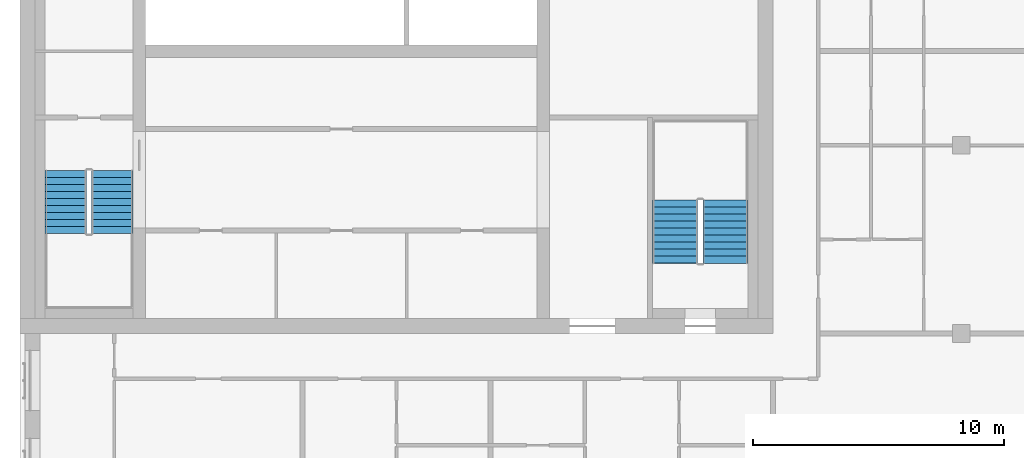
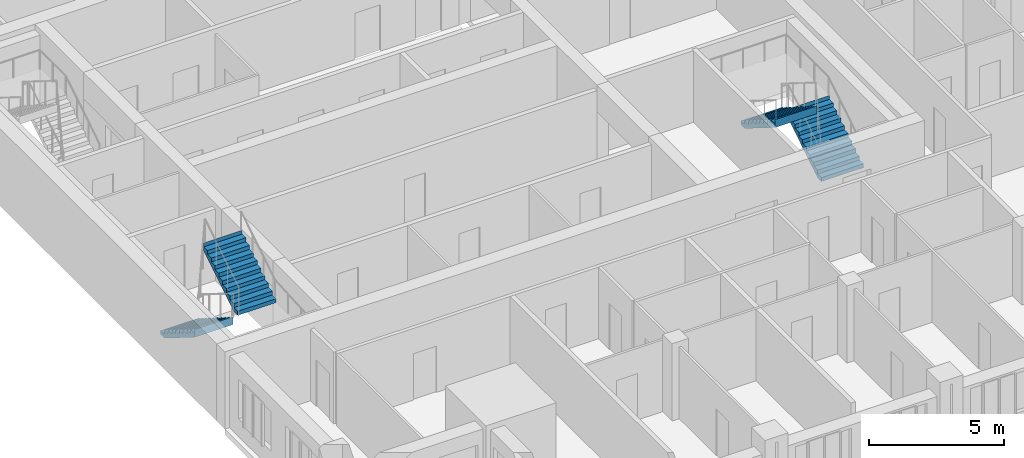
# One storey, part 8 of 10: 4 stair flights, 2 elements without a shape of their own.
"""IFC4 building model written with IfcOpenShell, lengths in metres."""

from ifc_helpers import new_model, si_unit, direction, frame, origin, place, context, subcontext, project, spatial, polyline, outline, extrude, material, type_object, element, aggregate, save


model = new_model("IFC4")

# Units and contexts
model_context = context("Model", 3, precision=1e-05, world=origin(), true_north=direction((0.0, 1.0)))
body_context = subcontext(model_context, "Body", "Model", "MODEL_VIEW")
ifc_project = project(units=[si_unit("LENGTHUNIT", "METRE"), si_unit("AREAUNIT", "SQUARE_METRE"), si_unit("VOLUMEUNIT", "CUBIC_METRE"), si_unit("PLANEANGLEUNIT", "RADIAN"), si_unit("MASSUNIT", "GRAM", prefix="KILO")], contexts=[model_context])

# Site, building, storey
site_placement = place(None, origin())
site = spatial("IfcSite", under=ifc_project, at=site_placement, CompositionType="ELEMENT")
building_placement = place(site_placement, origin())
building = spatial("IfcBuilding", under=site, at=building_placement, Name="Tamorin Gate", CompositionType="ELEMENT")
storey_placement = place(building_placement, frame((0.0, 0.0, 269.699951171875)))
storey = spatial("IfcBuildingStorey", under=building, at=storey_placement, Name="L67", CompositionType="ELEMENT", Elevation=269.699951171875)

# Stair, stair flights
ifc_material = material(Name="Concrete C40/50", Category="concrete")
stair_type = type_object("IfcStairType", Name="Exit stair", PredefinedType="HALF_TURN_STAIR", material=ifc_material)
stair_1_placement = place(storey_placement, origin())
stair_1 = element("IfcStair", 1, at=stair_1_placement, inside=storey, type_object=stair_type, Name="L67 stair ST1", PredefinedType="HALF_TURN_STAIR")
stair_flight_type = type_object("IfcStairFlightType", Name="Exit stair flight", PredefinedType="STRAIGHT", material=ifc_material)
stair_flight_1_placement = place(storey_placement, frame((31.824951171875, 66.5, 0.0), z_axis=(0.0, 0.0, 1.0), x_axis=(0.0, -1.0, 0.0)))
stair_flight_1 = element("IfcStairFlight", 2, at=stair_flight_1_placement, type_object=stair_flight_type, Name="ST1 flight 1", NumberOfRisers=10, NumberOfTreads=9, PredefinedType="STRAIGHT", RiserHeight=0.175, TreadLength=0.28, context=body_context, shape_type="SweptSolid", body=[
    extrude(outline(polyline([(-0.00048828125, 0.0), (-0.00048828125, 0.001708984375), (-0.00048828125, 0.00341796875), (-0.00048828125, 0.005126953125), (-0.00048828125, 0.0068359375), (-0.00048828125, 0.008544921875), (-0.00048828125, 0.010498046875), (-0.00048828125, 0.01220703125), (-0.00048828125, 0.013916015625), (-0.00048828125, 0.015625), (-0.00048828125, 0.017333984375), (-0.00048828125, 0.01904296875), (-0.00048828125, 0.020751953125), (-0.00048828125, 0.0224609375), (-0.00048828125, 0.024169921875), (-0.00048828125, 0.02587890625), (-0.00048828125, 0.02783203125), (-0.00048828125, 0.029541015625), (-0.00048828125, 0.03125), (-0.00048828125, 0.032958984375), (-0.00048828125, 0.03466796875), (-0.00048828125, 0.036376953125), (-0.00048828125, 0.0380859375), (-0.00048828125, 0.039794921875), (-0.00048828125, 0.04150390625), (-0.00048828125, 0.043212890625), (-0.00048828125, 0.045166015625), (-0.00048828125, 0.046875), (-0.00048828125, 0.048583984375), (-0.00048828125, 0.05029296875), (-0.00048828125, 0.052001953125), (-0.00048828125, 0.0537109375), (-0.00048828125, 0.055419921875), (-0.00048828125, 0.05712890625), (-0.00048828125, 0.058837890625), (-0.00048828125, 0.060546875), (-0.00048828125, 0.062255859375), (-0.00048828125, 0.064208984375), (-0.00048828125, 0.06591796875), (-0.00048828125, 0.067626953125), (-0.00048828125, 0.0693359375), (-0.00048828125, 0.071044921875), (-0.00048828125, 0.07275390625), (-0.00048828125, 0.074462890625), (-0.00048828125, 0.076171875), (-0.00048828125, 0.077880859375), (-0.00048828125, 0.07958984375), (-0.00048828125, 0.08154296875), (-0.00048828125, 0.083251953125), (-0.00048828125, 0.0849609375), (-0.00048828125, 0.086669921875), (-0.00048828125, 0.08837890625), (-0.00048828125, 0.090087890625), (-0.00048828125, 0.091796875), (-0.00048828125, 0.093505859375), (-0.00048828125, 0.09521484375), (-0.00048828125, 0.096923828125), (-0.00048828125, 0.098876953125), (-0.00048828125, 0.1005859375), (-0.00048828125, 0.102294921875), (-0.00048828125, 0.10400390625), (-0.00048828125, 0.105712890625), (-0.00048828125, 0.107421875), (-0.00048828125, 0.109130859375), (-0.00048828125, 0.11083984375), (-0.00048828125, 0.112548828125), (-0.00048828125, 0.1142578125), (-0.00048828125, 0.1162109375), (-0.00048828125, 0.117919921875), (-0.00048828125, 0.11962890625), (-0.00048828125, 0.121337890625), (-0.00048828125, 0.123046875), (-0.00048828125, 0.124755859375), (-0.00048828125, 0.12646484375), (-0.00048828125, 0.128173828125), (-0.00048828125, 0.1298828125), (-0.00048828125, 0.131591796875), (-0.00048828125, 0.13330078125), (-0.00048828125, 0.13525390625), (-0.00048828125, 0.136962890625), (-0.00048828125, 0.138671875), (-0.00048828125, 0.140380859375), (-0.00048828125, 0.14208984375), (-0.00048828125, 0.143798828125), (-0.00048828125, 0.1455078125), (-0.00048828125, 0.147216796875), (-0.00048828125, 0.14892578125), (-0.00048828125, 0.150634765625), (-0.00048828125, 0.152587890625), (-0.00048828125, 0.154296875), (-0.00048828125, 0.156005859375), (-0.00048828125, 0.15771484375), (-0.00048828125, 0.159423828125), (-0.00048828125, 0.1611328125), (-0.00048828125, 0.162841796875), (-0.00048828125, 0.16455078125), (-0.00048828125, 0.166259765625), (-0.00048828125, 0.16796875), (-0.00048828125, 0.169921875), (-0.00048828125, 0.171630859375), (-0.00048828125, 0.17333984375), (-0.00048828125, 0.175048828125), (0.280029296875, 0.175048828125), (0.280029296875, 0.35009765625), (0.56005859375, 0.35009765625), (0.56005859375, 0.52490234375), (0.840087890625, 0.52490234375), (0.840087890625, 0.699951171875), (1.1201171875, 0.699951171875), (1.1201171875, 0.875), (1.39990234375, 0.875), (1.39990234375, 1.050048828125), (1.679931640625, 1.050048828125), (1.679931640625, 1.22509765625), (1.9599609375, 1.22509765625), (1.9599609375, 1.39990234375), (2.239990234375, 1.39990234375), (2.239990234375, 1.574951171875), (2.52001953125, 1.574951171875), (2.52001953125, 1.75), (2.5205078125, 1.75), (2.5205078125, 1.74658203125), (2.5205078125, 1.742919921875), (2.5205078125, 1.739501953125), (2.5205078125, 1.736083984375), (2.5205078125, 1.732666015625), (2.5205078125, 1.72900390625), (2.5205078125, 1.7255859375), (2.5205078125, 1.72216796875), (2.5205078125, 1.71875), (2.5205078125, 1.715087890625), (2.5205078125, 1.711669921875), (2.5205078125, 1.708251953125), (2.5205078125, 1.704833984375), (2.5205078125, 1.701171875), (2.5205078125, 1.69775390625), (2.5205078125, 1.6943359375), (2.5205078125, 1.690673828125), (2.5205078125, 1.687255859375), (2.5205078125, 1.683837890625), (2.5205078125, 1.680419921875), (2.5205078125, 1.6767578125), (2.5205078125, 1.67333984375), (2.5205078125, 1.669921875), (2.5205078125, 1.66650390625), (2.5205078125, 1.662841796875), (2.5205078125, 1.659423828125), (2.5205078125, 1.656005859375), (2.5205078125, 1.652587890625), (2.5205078125, 1.64892578125), (2.5205078125, 1.6455078125), (2.5205078125, 1.64208984375), (2.5205078125, 1.638427734375), (2.5205078125, 1.635009765625), (2.5205078125, 1.631591796875), (2.5205078125, 1.628173828125), (2.5205078125, 1.62451171875), (2.5205078125, 1.62109375), (2.5205078125, 1.61767578125), (2.5205078125, 1.6142578125), (2.5205078125, 1.610595703125), (2.5205078125, 1.607177734375), (2.5205078125, 1.603759765625), (2.5205078125, 1.600341796875), (2.5205078125, 1.5966796875), (2.5205078125, 1.59326171875), (2.5205078125, 1.58984375), (2.5205078125, 1.58642578125), (2.5205078125, 1.582763671875), (2.5205078125, 1.579345703125), (2.5205078125, 1.575927734375), (2.5205078125, 1.572265625), (2.5205078125, 1.56884765625), (2.5205078125, 1.5654296875), (2.5205078125, 1.56201171875), (2.5205078125, 1.558349609375), (2.5205078125, 1.554931640625), (2.5205078125, 1.551513671875), (2.5205078125, 1.548095703125), (2.5205078125, 1.54443359375), (2.5205078125, 1.541015625), (2.5205078125, 1.53759765625), (2.5205078125, 1.5341796875), (2.5205078125, 1.530517578125), (2.5205078125, 1.527099609375), (2.5205078125, 1.523681640625), (2.5205078125, 1.52001953125), (2.5205078125, 1.5166015625), (2.5205078125, 1.51318359375), (2.5205078125, 1.509765625), (2.5205078125, 1.506103515625), (2.5205078125, 1.502685546875), (2.5205078125, 1.499267578125), (2.5205078125, 1.495849609375), (2.5205078125, 1.4921875), (2.5205078125, 1.48876953125), (2.5205078125, 1.4853515625), (2.5205078125, 1.48193359375), (2.5205078125, 1.478271484375), (2.5205078125, 1.474853515625), (2.5205078125, 1.471435546875), (2.5205078125, 1.4677734375), (2.5205078125, 1.46435546875), (2.5205078125, 1.4609375), (2.5205078125, 1.45751953125), (2.5205078125, 1.453857421875), (2.5205078125, 1.450439453125), (2.5205078125, 1.447021484375), (2.5205078125, 1.443603515625), (2.5205078125, 1.43994140625), (2.5205078125, 1.4365234375), (2.5205078125, 1.43310546875), (2.5205078125, 1.4296875), (2.5205078125, 1.426025390625), (2.5205078125, 1.422607421875), (2.5205078125, 1.419189453125), (2.5205078125, 1.41552734375), (2.5205078125, 1.412109375), (2.5205078125, 1.40869140625), (2.5205078125, 1.4052734375), (2.5205078125, 1.401611328125), (2.5205078125, 1.398193359375), (2.52001953125, 1.398193359375), (0.28271484375, 0.0), (-0.00048828125, 0.0)])), frame((0.0, 0.824951171875, 0.0), z_axis=(0.0, -1.0, 0.0), x_axis=(1.0, 0.0, 0.0)), (0.0, 0.0, 1.0), 1.64990234375),
])
stair_flight_2_placement = place(storey_placement, frame((33.675048828125, 63.97998046875, 1.75), z_axis=(0.0, 0.0, 1.0), x_axis=(0.0, 1.0, 0.0)))
stair_flight_2 = element("IfcStairFlight", 3, at=stair_flight_2_placement, type_object=stair_flight_type, Name="ST1 flight 2", NumberOfRisers=10, NumberOfTreads=9, PredefinedType="STRAIGHT", RiserHeight=0.175, TreadLength=0.28, context=body_context, shape_type="SweptSolid", body=[
    extrude(outline(polyline([(-0.00048828125, 0.0), (-0.00048828125, 0.001708984375), (-0.00048828125, 0.00341796875), (-0.00048828125, 0.005126953125), (-0.00048828125, 0.0068359375), (-0.00048828125, 0.008544921875), (-0.00048828125, 0.010498046875), (-0.00048828125, 0.01220703125), (-0.00048828125, 0.013916015625), (-0.00048828125, 0.015625), (-0.00048828125, 0.017333984375), (-0.00048828125, 0.01904296875), (-0.00048828125, 0.020751953125), (-0.00048828125, 0.0224609375), (-0.00048828125, 0.024169921875), (-0.00048828125, 0.02587890625), (-0.00048828125, 0.02783203125), (-0.00048828125, 0.029541015625), (-0.00048828125, 0.03125), (-0.00048828125, 0.032958984375), (-0.00048828125, 0.03466796875), (-0.00048828125, 0.036376953125), (-0.00048828125, 0.0380859375), (-0.00048828125, 0.039794921875), (-0.00048828125, 0.04150390625), (-0.00048828125, 0.043212890625), (-0.00048828125, 0.045166015625), (-0.00048828125, 0.046875), (-0.00048828125, 0.048583984375), (-0.00048828125, 0.05029296875), (-0.00048828125, 0.052001953125), (-0.00048828125, 0.0537109375), (-0.00048828125, 0.055419921875), (-0.00048828125, 0.05712890625), (-0.00048828125, 0.058837890625), (-0.00048828125, 0.060546875), (-0.00048828125, 0.062255859375), (-0.00048828125, 0.064208984375), (-0.00048828125, 0.06591796875), (-0.00048828125, 0.067626953125), (-0.00048828125, 0.0693359375), (-0.00048828125, 0.071044921875), (-0.00048828125, 0.07275390625), (-0.00048828125, 0.074462890625), (-0.00048828125, 0.076171875), (-0.00048828125, 0.077880859375), (-0.00048828125, 0.07958984375), (-0.00048828125, 0.08154296875), (-0.00048828125, 0.083251953125), (-0.00048828125, 0.0849609375), (-0.00048828125, 0.086669921875), (-0.00048828125, 0.08837890625), (-0.00048828125, 0.090087890625), (-0.00048828125, 0.091796875), (-0.00048828125, 0.093505859375), (-0.00048828125, 0.09521484375), (-0.00048828125, 0.096923828125), (-0.00048828125, 0.098876953125), (-0.00048828125, 0.1005859375), (-0.00048828125, 0.102294921875), (-0.00048828125, 0.10400390625), (-0.00048828125, 0.105712890625), (-0.00048828125, 0.107421875), (-0.00048828125, 0.109130859375), (-0.00048828125, 0.11083984375), (-0.00048828125, 0.112548828125), (-0.00048828125, 0.1142578125), (-0.00048828125, 0.1162109375), (-0.00048828125, 0.117919921875), (-0.00048828125, 0.11962890625), (-0.00048828125, 0.121337890625), (-0.00048828125, 0.123046875), (-0.00048828125, 0.124755859375), (-0.00048828125, 0.12646484375), (-0.00048828125, 0.128173828125), (-0.00048828125, 0.1298828125), (-0.00048828125, 0.131591796875), (-0.00048828125, 0.13330078125), (-0.00048828125, 0.13525390625), (-0.00048828125, 0.136962890625), (-0.00048828125, 0.138671875), (-0.00048828125, 0.140380859375), (-0.00048828125, 0.14208984375), (-0.00048828125, 0.143798828125), (-0.00048828125, 0.1455078125), (-0.00048828125, 0.147216796875), (-0.00048828125, 0.14892578125), (-0.00048828125, 0.150634765625), (-0.00048828125, 0.152587890625), (-0.00048828125, 0.154296875), (-0.00048828125, 0.156005859375), (-0.00048828125, 0.15771484375), (-0.00048828125, 0.159423828125), (-0.00048828125, 0.1611328125), (-0.00048828125, 0.162841796875), (-0.00048828125, 0.16455078125), (-0.00048828125, 0.166259765625), (-0.00048828125, 0.16796875), (-0.00048828125, 0.169921875), (-0.00048828125, 0.171630859375), (-0.00048828125, 0.17333984375), (-0.00048828125, 0.175048828125), (0.280029296875, 0.175048828125), (0.280029296875, 0.35009765625), (0.56005859375, 0.35009765625), (0.56005859375, 0.52490234375), (0.840087890625, 0.52490234375), (0.840087890625, 0.699951171875), (1.1201171875, 0.699951171875), (1.1201171875, 0.875), (1.39990234375, 0.875), (1.39990234375, 1.050048828125), (1.679931640625, 1.050048828125), (1.679931640625, 1.22509765625), (1.9599609375, 1.22509765625), (1.9599609375, 1.39990234375), (2.239990234375, 1.39990234375), (2.239990234375, 1.574951171875), (2.52001953125, 1.574951171875), (2.52001953125, 1.75), (2.5205078125, 1.75), (2.5205078125, 1.74658203125), (2.5205078125, 1.742919921875), (2.5205078125, 1.739501953125), (2.5205078125, 1.736083984375), (2.5205078125, 1.732666015625), (2.5205078125, 1.72900390625), (2.5205078125, 1.7255859375), (2.5205078125, 1.72216796875), (2.5205078125, 1.71875), (2.5205078125, 1.715087890625), (2.5205078125, 1.711669921875), (2.5205078125, 1.708251953125), (2.5205078125, 1.704833984375), (2.5205078125, 1.701171875), (2.5205078125, 1.69775390625), (2.5205078125, 1.6943359375), (2.5205078125, 1.690673828125), (2.5205078125, 1.687255859375), (2.5205078125, 1.683837890625), (2.5205078125, 1.680419921875), (2.5205078125, 1.6767578125), (2.5205078125, 1.67333984375), (2.5205078125, 1.669921875), (2.5205078125, 1.66650390625), (2.5205078125, 1.662841796875), (2.5205078125, 1.659423828125), (2.5205078125, 1.656005859375), (2.5205078125, 1.652587890625), (2.5205078125, 1.64892578125), (2.5205078125, 1.6455078125), (2.5205078125, 1.64208984375), (2.5205078125, 1.638427734375), (2.5205078125, 1.635009765625), (2.5205078125, 1.631591796875), (2.5205078125, 1.628173828125), (2.5205078125, 1.62451171875), (2.5205078125, 1.62109375), (2.5205078125, 1.61767578125), (2.5205078125, 1.6142578125), (2.5205078125, 1.610595703125), (2.5205078125, 1.607177734375), (2.5205078125, 1.603759765625), (2.5205078125, 1.600341796875), (2.5205078125, 1.5966796875), (2.5205078125, 1.59326171875), (2.5205078125, 1.58984375), (2.5205078125, 1.58642578125), (2.5205078125, 1.582763671875), (2.5205078125, 1.579345703125), (2.5205078125, 1.575927734375), (2.5205078125, 1.572265625), (2.5205078125, 1.56884765625), (2.5205078125, 1.5654296875), (2.5205078125, 1.56201171875), (2.5205078125, 1.558349609375), (2.5205078125, 1.554931640625), (2.5205078125, 1.551513671875), (2.5205078125, 1.548095703125), (2.5205078125, 1.54443359375), (2.5205078125, 1.541015625), (2.5205078125, 1.53759765625), (2.5205078125, 1.5341796875), (2.5205078125, 1.530517578125), (2.5205078125, 1.527099609375), (2.5205078125, 1.523681640625), (2.5205078125, 1.52001953125), (2.5205078125, 1.5166015625), (2.5205078125, 1.51318359375), (2.5205078125, 1.509765625), (2.5205078125, 1.506103515625), (2.5205078125, 1.502685546875), (2.5205078125, 1.499267578125), (2.5205078125, 1.495849609375), (2.5205078125, 1.4921875), (2.5205078125, 1.48876953125), (2.5205078125, 1.4853515625), (2.5205078125, 1.48193359375), (2.5205078125, 1.478271484375), (2.5205078125, 1.474853515625), (2.5205078125, 1.471435546875), (2.5205078125, 1.4677734375), (2.5205078125, 1.46435546875), (2.5205078125, 1.4609375), (2.5205078125, 1.45751953125), (2.5205078125, 1.453857421875), (2.5205078125, 1.450439453125), (2.5205078125, 1.447021484375), (2.5205078125, 1.443603515625), (2.5205078125, 1.43994140625), (2.5205078125, 1.4365234375), (2.5205078125, 1.43310546875), (2.5205078125, 1.4296875), (2.5205078125, 1.426025390625), (2.5205078125, 1.422607421875), (2.5205078125, 1.419189453125), (2.5205078125, 1.41552734375), (2.5205078125, 1.412109375), (2.5205078125, 1.40869140625), (2.5205078125, 1.4052734375), (2.5205078125, 1.401611328125), (2.5205078125, 1.398193359375), (2.52001953125, 1.398193359375), (0.28271484375, 0.0), (-0.00048828125, 0.0)])), frame((0.0, 0.824951171875, 0.0), z_axis=(0.0, -1.0, 0.0), x_axis=(1.0, 0.0, 0.0)), (0.0, 0.0, 1.0), 1.64990234375),
])
aggregate(stair_1, [stair_flight_1, stair_flight_2])

stair_2_placement = place(storey_placement, origin())
stair_2 = element("IfcStair", 4, at=stair_2_placement, inside=storey, type_object=stair_type, Name="L67 stair ST3", PredefinedType="HALF_TURN_STAIR")
stair_flight_3_placement = place(storey_placement, frame((58.10009765625, 62.800048828125, 0.0), z_axis=(0.0, 0.0, 1.0), x_axis=(0.0, 1.0, 0.0)))
stair_flight_3 = element("IfcStairFlight", 5, at=stair_flight_3_placement, type_object=stair_flight_type, Name="ST3 flight 1", NumberOfRisers=10, NumberOfTreads=9, PredefinedType="STRAIGHT", RiserHeight=0.175, TreadLength=0.28, context=body_context, shape_type="SweptSolid", body=[
    extrude(outline(polyline([(-0.00048828125, 0.0), (-0.00048828125, 0.001708984375), (-0.00048828125, 0.00341796875), (-0.00048828125, 0.005126953125), (-0.00048828125, 0.0068359375), (-0.00048828125, 0.008544921875), (-0.00048828125, 0.010498046875), (-0.00048828125, 0.01220703125), (-0.00048828125, 0.013916015625), (-0.00048828125, 0.015625), (-0.00048828125, 0.017333984375), (-0.00048828125, 0.01904296875), (-0.00048828125, 0.020751953125), (-0.00048828125, 0.0224609375), (-0.00048828125, 0.024169921875), (-0.00048828125, 0.02587890625), (-0.00048828125, 0.02783203125), (-0.00048828125, 0.029541015625), (-0.00048828125, 0.03125), (-0.00048828125, 0.032958984375), (-0.00048828125, 0.03466796875), (-0.00048828125, 0.036376953125), (-0.00048828125, 0.0380859375), (-0.00048828125, 0.039794921875), (-0.00048828125, 0.04150390625), (-0.00048828125, 0.043212890625), (-0.00048828125, 0.045166015625), (-0.00048828125, 0.046875), (-0.00048828125, 0.048583984375), (-0.00048828125, 0.05029296875), (-0.00048828125, 0.052001953125), (-0.00048828125, 0.0537109375), (-0.00048828125, 0.055419921875), (-0.00048828125, 0.05712890625), (-0.00048828125, 0.058837890625), (-0.00048828125, 0.060546875), (-0.00048828125, 0.062255859375), (-0.00048828125, 0.064208984375), (-0.00048828125, 0.06591796875), (-0.00048828125, 0.067626953125), (-0.00048828125, 0.0693359375), (-0.00048828125, 0.071044921875), (-0.00048828125, 0.07275390625), (-0.00048828125, 0.074462890625), (-0.00048828125, 0.076171875), (-0.00048828125, 0.077880859375), (-0.00048828125, 0.07958984375), (-0.00048828125, 0.08154296875), (-0.00048828125, 0.083251953125), (-0.00048828125, 0.0849609375), (-0.00048828125, 0.086669921875), (-0.00048828125, 0.08837890625), (-0.00048828125, 0.090087890625), (-0.00048828125, 0.091796875), (-0.00048828125, 0.093505859375), (-0.00048828125, 0.09521484375), (-0.00048828125, 0.096923828125), (-0.00048828125, 0.098876953125), (-0.00048828125, 0.1005859375), (-0.00048828125, 0.102294921875), (-0.00048828125, 0.10400390625), (-0.00048828125, 0.105712890625), (-0.00048828125, 0.107421875), (-0.00048828125, 0.109130859375), (-0.00048828125, 0.11083984375), (-0.00048828125, 0.112548828125), (-0.00048828125, 0.1142578125), (-0.00048828125, 0.1162109375), (-0.00048828125, 0.117919921875), (-0.00048828125, 0.11962890625), (-0.00048828125, 0.121337890625), (-0.00048828125, 0.123046875), (-0.00048828125, 0.124755859375), (-0.00048828125, 0.12646484375), (-0.00048828125, 0.128173828125), (-0.00048828125, 0.1298828125), (-0.00048828125, 0.131591796875), (-0.00048828125, 0.13330078125), (-0.00048828125, 0.13525390625), (-0.00048828125, 0.136962890625), (-0.00048828125, 0.138671875), (-0.00048828125, 0.140380859375), (-0.00048828125, 0.14208984375), (-0.00048828125, 0.143798828125), (-0.00048828125, 0.1455078125), (-0.00048828125, 0.147216796875), (-0.00048828125, 0.14892578125), (-0.00048828125, 0.150634765625), (-0.00048828125, 0.152587890625), (-0.00048828125, 0.154296875), (-0.00048828125, 0.156005859375), (-0.00048828125, 0.15771484375), (-0.00048828125, 0.159423828125), (-0.00048828125, 0.1611328125), (-0.00048828125, 0.162841796875), (-0.00048828125, 0.16455078125), (-0.00048828125, 0.166259765625), (-0.00048828125, 0.16796875), (-0.00048828125, 0.169921875), (-0.00048828125, 0.171630859375), (-0.00048828125, 0.17333984375), (-0.00048828125, 0.175048828125), (0.280029296875, 0.175048828125), (0.280029296875, 0.35009765625), (0.56005859375, 0.35009765625), (0.56005859375, 0.52490234375), (0.840087890625, 0.52490234375), (0.840087890625, 0.699951171875), (1.1201171875, 0.699951171875), (1.1201171875, 0.875), (1.39990234375, 0.875), (1.39990234375, 1.050048828125), (1.679931640625, 1.050048828125), (1.679931640625, 1.22509765625), (1.9599609375, 1.22509765625), (1.9599609375, 1.39990234375), (2.239990234375, 1.39990234375), (2.239990234375, 1.574951171875), (2.52001953125, 1.574951171875), (2.52001953125, 1.75), (2.5205078125, 1.75), (2.5205078125, 1.74658203125), (2.5205078125, 1.742919921875), (2.5205078125, 1.739501953125), (2.5205078125, 1.736083984375), (2.5205078125, 1.732666015625), (2.5205078125, 1.72900390625), (2.5205078125, 1.7255859375), (2.5205078125, 1.72216796875), (2.5205078125, 1.71875), (2.5205078125, 1.715087890625), (2.5205078125, 1.711669921875), (2.5205078125, 1.708251953125), (2.5205078125, 1.704833984375), (2.5205078125, 1.701171875), (2.5205078125, 1.69775390625), (2.5205078125, 1.6943359375), (2.5205078125, 1.690673828125), (2.5205078125, 1.687255859375), (2.5205078125, 1.683837890625), (2.5205078125, 1.680419921875), (2.5205078125, 1.6767578125), (2.5205078125, 1.67333984375), (2.5205078125, 1.669921875), (2.5205078125, 1.66650390625), (2.5205078125, 1.662841796875), (2.5205078125, 1.659423828125), (2.5205078125, 1.656005859375), (2.5205078125, 1.652587890625), (2.5205078125, 1.64892578125), (2.5205078125, 1.6455078125), (2.5205078125, 1.64208984375), (2.5205078125, 1.638427734375), (2.5205078125, 1.635009765625), (2.5205078125, 1.631591796875), (2.5205078125, 1.628173828125), (2.5205078125, 1.62451171875), (2.5205078125, 1.62109375), (2.5205078125, 1.61767578125), (2.5205078125, 1.6142578125), (2.5205078125, 1.610595703125), (2.5205078125, 1.607177734375), (2.5205078125, 1.603759765625), (2.5205078125, 1.600341796875), (2.5205078125, 1.5966796875), (2.5205078125, 1.59326171875), (2.5205078125, 1.58984375), (2.5205078125, 1.58642578125), (2.5205078125, 1.582763671875), (2.5205078125, 1.579345703125), (2.5205078125, 1.575927734375), (2.5205078125, 1.572265625), (2.5205078125, 1.56884765625), (2.5205078125, 1.5654296875), (2.5205078125, 1.56201171875), (2.5205078125, 1.558349609375), (2.5205078125, 1.554931640625), (2.5205078125, 1.551513671875), (2.5205078125, 1.548095703125), (2.5205078125, 1.54443359375), (2.5205078125, 1.541015625), (2.5205078125, 1.53759765625), (2.5205078125, 1.5341796875), (2.5205078125, 1.530517578125), (2.5205078125, 1.527099609375), (2.5205078125, 1.523681640625), (2.5205078125, 1.52001953125), (2.5205078125, 1.5166015625), (2.5205078125, 1.51318359375), (2.5205078125, 1.509765625), (2.5205078125, 1.506103515625), (2.5205078125, 1.502685546875), (2.5205078125, 1.499267578125), (2.5205078125, 1.495849609375), (2.5205078125, 1.4921875), (2.5205078125, 1.48876953125), (2.5205078125, 1.4853515625), (2.5205078125, 1.48193359375), (2.5205078125, 1.478271484375), (2.5205078125, 1.474853515625), (2.5205078125, 1.471435546875), (2.5205078125, 1.4677734375), (2.5205078125, 1.46435546875), (2.5205078125, 1.4609375), (2.5205078125, 1.45751953125), (2.5205078125, 1.453857421875), (2.5205078125, 1.450439453125), (2.5205078125, 1.447021484375), (2.5205078125, 1.443603515625), (2.5205078125, 1.43994140625), (2.5205078125, 1.4365234375), (2.5205078125, 1.43310546875), (2.5205078125, 1.4296875), (2.5205078125, 1.426025390625), (2.5205078125, 1.422607421875), (2.5205078125, 1.419189453125), (2.5205078125, 1.41552734375), (2.5205078125, 1.412109375), (2.5205078125, 1.40869140625), (2.5205078125, 1.4052734375), (2.5205078125, 1.401611328125), (2.5205078125, 1.398193359375), (2.52001953125, 1.398193359375), (0.28271484375, 0.0), (-0.00048828125, 0.0)])), frame((0.0, 0.89990234375, 0.0), z_axis=(0.0, -1.0, 0.0), x_axis=(1.0, 0.0, 0.0)), (0.0, 0.0, 1.0), 1.800048828125),
])
stair_flight_4_placement = place(storey_placement, frame((56.10009765625, 65.320068359375, 1.75), z_axis=(0.0, 0.0, 1.0), x_axis=(0.0, -1.0, 0.0)))
stair_flight_4 = element("IfcStairFlight", 6, at=stair_flight_4_placement, type_object=stair_flight_type, Name="ST3 flight 2", NumberOfRisers=10, NumberOfTreads=9, PredefinedType="STRAIGHT", RiserHeight=0.175, TreadLength=0.28, context=body_context, shape_type="SweptSolid", body=[
    extrude(outline(polyline([(-0.00048828125, 0.0), (-0.00048828125, 0.001708984375), (-0.00048828125, 0.00341796875), (-0.00048828125, 0.005126953125), (-0.00048828125, 0.0068359375), (-0.00048828125, 0.008544921875), (-0.00048828125, 0.010498046875), (-0.00048828125, 0.01220703125), (-0.00048828125, 0.013916015625), (-0.00048828125, 0.015625), (-0.00048828125, 0.017333984375), (-0.00048828125, 0.01904296875), (-0.00048828125, 0.020751953125), (-0.00048828125, 0.0224609375), (-0.00048828125, 0.024169921875), (-0.00048828125, 0.02587890625), (-0.00048828125, 0.02783203125), (-0.00048828125, 0.029541015625), (-0.00048828125, 0.03125), (-0.00048828125, 0.032958984375), (-0.00048828125, 0.03466796875), (-0.00048828125, 0.036376953125), (-0.00048828125, 0.0380859375), (-0.00048828125, 0.039794921875), (-0.00048828125, 0.04150390625), (-0.00048828125, 0.043212890625), (-0.00048828125, 0.045166015625), (-0.00048828125, 0.046875), (-0.00048828125, 0.048583984375), (-0.00048828125, 0.05029296875), (-0.00048828125, 0.052001953125), (-0.00048828125, 0.0537109375), (-0.00048828125, 0.055419921875), (-0.00048828125, 0.05712890625), (-0.00048828125, 0.058837890625), (-0.00048828125, 0.060546875), (-0.00048828125, 0.062255859375), (-0.00048828125, 0.064208984375), (-0.00048828125, 0.06591796875), (-0.00048828125, 0.067626953125), (-0.00048828125, 0.0693359375), (-0.00048828125, 0.071044921875), (-0.00048828125, 0.07275390625), (-0.00048828125, 0.074462890625), (-0.00048828125, 0.076171875), (-0.00048828125, 0.077880859375), (-0.00048828125, 0.07958984375), (-0.00048828125, 0.08154296875), (-0.00048828125, 0.083251953125), (-0.00048828125, 0.0849609375), (-0.00048828125, 0.086669921875), (-0.00048828125, 0.08837890625), (-0.00048828125, 0.090087890625), (-0.00048828125, 0.091796875), (-0.00048828125, 0.093505859375), (-0.00048828125, 0.09521484375), (-0.00048828125, 0.096923828125), (-0.00048828125, 0.098876953125), (-0.00048828125, 0.1005859375), (-0.00048828125, 0.102294921875), (-0.00048828125, 0.10400390625), (-0.00048828125, 0.105712890625), (-0.00048828125, 0.107421875), (-0.00048828125, 0.109130859375), (-0.00048828125, 0.11083984375), (-0.00048828125, 0.112548828125), (-0.00048828125, 0.1142578125), (-0.00048828125, 0.1162109375), (-0.00048828125, 0.117919921875), (-0.00048828125, 0.11962890625), (-0.00048828125, 0.121337890625), (-0.00048828125, 0.123046875), (-0.00048828125, 0.124755859375), (-0.00048828125, 0.12646484375), (-0.00048828125, 0.128173828125), (-0.00048828125, 0.1298828125), (-0.00048828125, 0.131591796875), (-0.00048828125, 0.13330078125), (-0.00048828125, 0.13525390625), (-0.00048828125, 0.136962890625), (-0.00048828125, 0.138671875), (-0.00048828125, 0.140380859375), (-0.00048828125, 0.14208984375), (-0.00048828125, 0.143798828125), (-0.00048828125, 0.1455078125), (-0.00048828125, 0.147216796875), (-0.00048828125, 0.14892578125), (-0.00048828125, 0.150634765625), (-0.00048828125, 0.152587890625), (-0.00048828125, 0.154296875), (-0.00048828125, 0.156005859375), (-0.00048828125, 0.15771484375), (-0.00048828125, 0.159423828125), (-0.00048828125, 0.1611328125), (-0.00048828125, 0.162841796875), (-0.00048828125, 0.16455078125), (-0.00048828125, 0.166259765625), (-0.00048828125, 0.16796875), (-0.00048828125, 0.169921875), (-0.00048828125, 0.171630859375), (-0.00048828125, 0.17333984375), (-0.00048828125, 0.175048828125), (0.280029296875, 0.175048828125), (0.280029296875, 0.35009765625), (0.56005859375, 0.35009765625), (0.56005859375, 0.52490234375), (0.840087890625, 0.52490234375), (0.840087890625, 0.699951171875), (1.1201171875, 0.699951171875), (1.1201171875, 0.875), (1.39990234375, 0.875), (1.39990234375, 1.050048828125), (1.679931640625, 1.050048828125), (1.679931640625, 1.22509765625), (1.9599609375, 1.22509765625), (1.9599609375, 1.39990234375), (2.239990234375, 1.39990234375), (2.239990234375, 1.574951171875), (2.52001953125, 1.574951171875), (2.52001953125, 1.75), (2.5205078125, 1.75), (2.5205078125, 1.74658203125), (2.5205078125, 1.742919921875), (2.5205078125, 1.739501953125), (2.5205078125, 1.736083984375), (2.5205078125, 1.732666015625), (2.5205078125, 1.72900390625), (2.5205078125, 1.7255859375), (2.5205078125, 1.72216796875), (2.5205078125, 1.71875), (2.5205078125, 1.715087890625), (2.5205078125, 1.711669921875), (2.5205078125, 1.708251953125), (2.5205078125, 1.704833984375), (2.5205078125, 1.701171875), (2.5205078125, 1.69775390625), (2.5205078125, 1.6943359375), (2.5205078125, 1.690673828125), (2.5205078125, 1.687255859375), (2.5205078125, 1.683837890625), (2.5205078125, 1.680419921875), (2.5205078125, 1.6767578125), (2.5205078125, 1.67333984375), (2.5205078125, 1.669921875), (2.5205078125, 1.66650390625), (2.5205078125, 1.662841796875), (2.5205078125, 1.659423828125), (2.5205078125, 1.656005859375), (2.5205078125, 1.652587890625), (2.5205078125, 1.64892578125), (2.5205078125, 1.6455078125), (2.5205078125, 1.64208984375), (2.5205078125, 1.638427734375), (2.5205078125, 1.635009765625), (2.5205078125, 1.631591796875), (2.5205078125, 1.628173828125), (2.5205078125, 1.62451171875), (2.5205078125, 1.62109375), (2.5205078125, 1.61767578125), (2.5205078125, 1.6142578125), (2.5205078125, 1.610595703125), (2.5205078125, 1.607177734375), (2.5205078125, 1.603759765625), (2.5205078125, 1.600341796875), (2.5205078125, 1.5966796875), (2.5205078125, 1.59326171875), (2.5205078125, 1.58984375), (2.5205078125, 1.58642578125), (2.5205078125, 1.582763671875), (2.5205078125, 1.579345703125), (2.5205078125, 1.575927734375), (2.5205078125, 1.572265625), (2.5205078125, 1.56884765625), (2.5205078125, 1.5654296875), (2.5205078125, 1.56201171875), (2.5205078125, 1.558349609375), (2.5205078125, 1.554931640625), (2.5205078125, 1.551513671875), (2.5205078125, 1.548095703125), (2.5205078125, 1.54443359375), (2.5205078125, 1.541015625), (2.5205078125, 1.53759765625), (2.5205078125, 1.5341796875), (2.5205078125, 1.530517578125), (2.5205078125, 1.527099609375), (2.5205078125, 1.523681640625), (2.5205078125, 1.52001953125), (2.5205078125, 1.5166015625), (2.5205078125, 1.51318359375), (2.5205078125, 1.509765625), (2.5205078125, 1.506103515625), (2.5205078125, 1.502685546875), (2.5205078125, 1.499267578125), (2.5205078125, 1.495849609375), (2.5205078125, 1.4921875), (2.5205078125, 1.48876953125), (2.5205078125, 1.4853515625), (2.5205078125, 1.48193359375), (2.5205078125, 1.478271484375), (2.5205078125, 1.474853515625), (2.5205078125, 1.471435546875), (2.5205078125, 1.4677734375), (2.5205078125, 1.46435546875), (2.5205078125, 1.4609375), (2.5205078125, 1.45751953125), (2.5205078125, 1.453857421875), (2.5205078125, 1.450439453125), (2.5205078125, 1.447021484375), (2.5205078125, 1.443603515625), (2.5205078125, 1.43994140625), (2.5205078125, 1.4365234375), (2.5205078125, 1.43310546875), (2.5205078125, 1.4296875), (2.5205078125, 1.426025390625), (2.5205078125, 1.422607421875), (2.5205078125, 1.419189453125), (2.5205078125, 1.41552734375), (2.5205078125, 1.412109375), (2.5205078125, 1.40869140625), (2.5205078125, 1.4052734375), (2.5205078125, 1.401611328125), (2.5205078125, 1.398193359375), (2.52001953125, 1.398193359375), (0.28271484375, 0.0), (-0.00048828125, 0.0)])), frame((0.0, 0.89990234375, 0.0), z_axis=(0.0, -1.0, 0.0), x_axis=(1.0, 0.0, 0.0)), (0.0, 0.0, 1.0), 1.800048828125),
])
aggregate(stair_2, [stair_flight_3, stair_flight_4])

save(model, "model.ifc")
